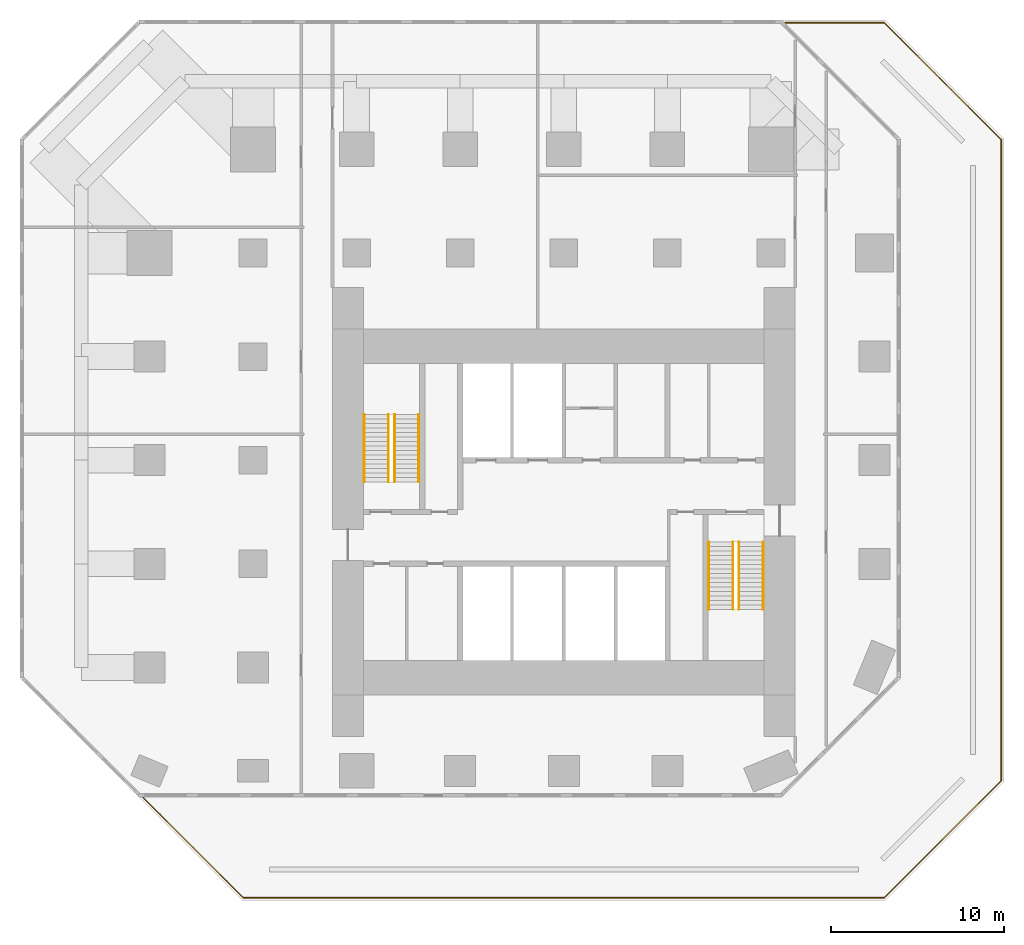
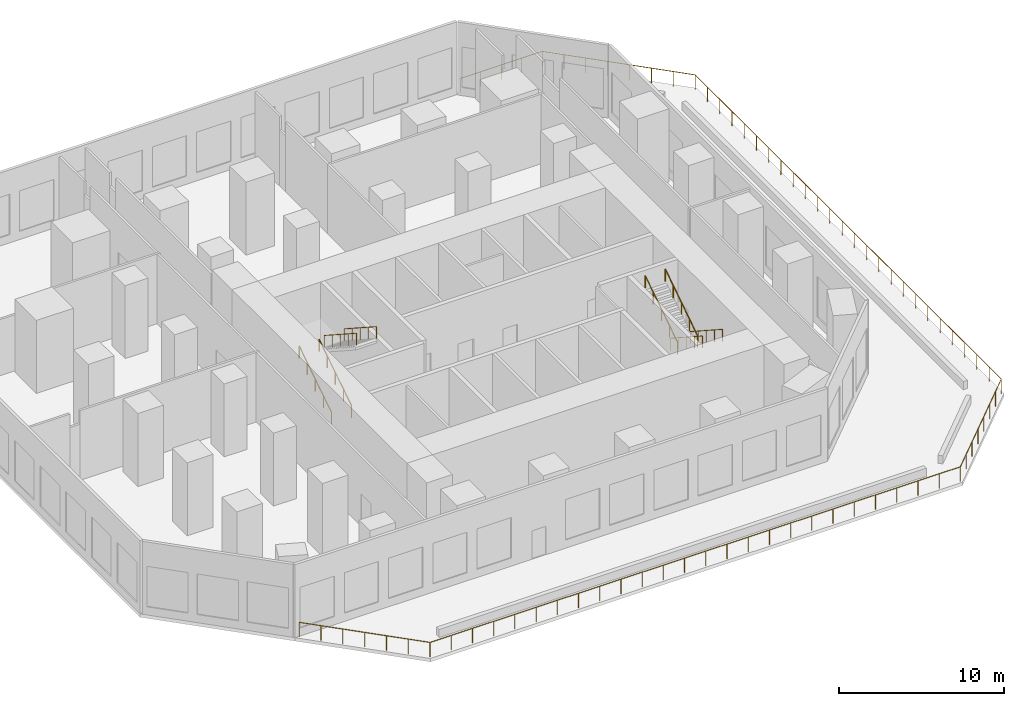
# One storey, part 7 of 7: 9 railings.
"""IFC4 building model written with IfcOpenShell, lengths in metres."""

from ifc_helpers import new_model, si_unit, direction, frame, origin, origin_2d, place, context, subcontext, project, spatial, circle, extrude, material, type_object, element, save


model = new_model("IFC4")

# Units and contexts
model_context = context("Model", 3, precision=1e-05, world=origin(), true_north=direction((0.0, 1.0)))
body_context = subcontext(model_context, "Body", "Model", "MODEL_VIEW")
ifc_project = project(units=[si_unit("LENGTHUNIT", "METRE"), si_unit("AREAUNIT", "SQUARE_METRE"), si_unit("VOLUMEUNIT", "CUBIC_METRE"), si_unit("PLANEANGLEUNIT", "RADIAN"), si_unit("MASSUNIT", "GRAM", prefix="KILO")], contexts=[model_context])

# Site, building, storey
site_placement = place(None, origin())
site = spatial("IfcSite", under=ifc_project, at=site_placement, CompositionType="ELEMENT")
building_placement = place(site_placement, origin())
building = spatial("IfcBuilding", under=site, at=building_placement, Name="Highveld Stack Headquarters", CompositionType="ELEMENT")
storey_placement = place(building_placement, frame((0.0, 0.0, 88.39990234375)))
storey = spatial("IfcBuildingStorey", under=building, at=storey_placement, Name="L21", CompositionType="ELEMENT", Elevation=88.39990234375)

# Railings
ifc_material_1 = material(Name="Stainless steel handrail", Category="steel")
railing_type_1 = type_object("IfcRailingType", Name="STAIR HANDRAIL HR1 900", PredefinedType="HANDRAIL", material=ifc_material_1)
for number, where, name in (
    (1, (-5.550048828125, 4.75, 0.1689453125), "Handrail S1 L21 flight 1"),
    (2, (-4.14990234375, 4.75, 0.1689453125), "Handrail S1 L21 flight 1"),
):
    element("IfcRailing", number, at=place(storey_placement, frame(where)), inside=storey, type_object=railing_type_1, Name=name, PredefinedType="HANDRAIL", context=body_context, shape_type="SweptSolid", body=[
        extrude(circle(Radius=0.02392578125, at=origin_2d()), frame((0.0, 0.0, 0.8759765625), z_axis=(0.0, 0.838805745541, 0.544430823198), x_axis=(-1.0, 0.0, 0.0)), (0.0, 0.0, 1.0), 4.6494140625),
        extrude(circle(Radius=0.02099609375, at=origin_2d()), origin(), (0.0, 0.0, 1.0), 0.851806640625),
        extrude(circle(Radius=0.02099609375, at=origin_2d()), frame((0.0, 0.97509765625, 0.6328125)), (0.0, 0.0, 1.0), 0.851806640625),
        extrude(circle(Radius=0.02099609375, at=origin_2d()), frame((0.0, 1.949951171875, 1.265625)), (0.0, 0.0, 1.0), 0.851806640625),
        extrude(circle(Radius=0.02099609375, at=origin_2d()), frame((0.0, 2.9248046875, 1.8984375)), (0.0, 0.0, 1.0), 0.851806640625),
        extrude(circle(Radius=0.02099609375, at=origin_2d()), frame((0.0, 3.89990234375, 2.53125)), (0.0, 0.0, 1.0), 0.851806640625),
    ])
for number, where, name in (
    (3, (-3.800048828125, 8.64990234375, 2.868896484375), "Handrail S1 L21 flight 2"),
    (4, (-2.39990234375, 8.64990234375, 2.868896484375), "Handrail S1 L21 flight 2"),
    (5, (16.14990234375, 1.25, 0.1689453125), "Handrail S2 L21 flight 1"),
    (6, (17.550048828125, 1.25, 0.1689453125), "Handrail S2 L21 flight 1"),
):
    element("IfcRailing", number, at=place(storey_placement, frame(where)), inside=storey, type_object=railing_type_1, Name=name, PredefinedType="HANDRAIL", context=body_context, shape_type="SweptSolid", body=[
        extrude(circle(Radius=0.02392578125, at=origin_2d()), frame((0.0, 0.0, 0.8759765625), z_axis=(0.0, -0.838805745541, 0.544430823198), x_axis=(1.0, 0.0, 0.0)), (0.0, 0.0, 1.0), 4.6494140625),
        extrude(circle(Radius=0.02099609375, at=origin_2d()), origin(), (0.0, 0.0, 1.0), 0.851806640625),
        extrude(circle(Radius=0.02099609375, at=origin_2d()), frame((0.0, -0.97509765625, 0.6328125)), (0.0, 0.0, 1.0), 0.851806640625),
        extrude(circle(Radius=0.02099609375, at=origin_2d()), frame((0.0, -1.949951171875, 1.265625)), (0.0, 0.0, 1.0), 0.851806640625),
        extrude(circle(Radius=0.02099609375, at=origin_2d()), frame((0.0, -2.9248046875, 1.8984375)), (0.0, 0.0, 1.0), 0.851806640625),
        extrude(circle(Radius=0.02099609375, at=origin_2d()), frame((0.0, -3.89990234375, 2.53125)), (0.0, 0.0, 1.0), 0.851806640625),
    ])
for number, where, name in (
    (7, (14.39990234375, -2.64990234375, 2.868896484375), "Handrail S2 L21 flight 2"),
    (8, (15.800048828125, -2.64990234375, 2.868896484375), "Handrail S2 L21 flight 2"),
):
    element("IfcRailing", number, at=place(storey_placement, frame(where)), inside=storey, type_object=railing_type_1, Name=name, PredefinedType="HANDRAIL", context=body_context, shape_type="SweptSolid", body=[
        extrude(circle(Radius=0.02392578125, at=origin_2d()), frame((0.0, 0.0, 0.8759765625), z_axis=(0.0, 0.838805745541, 0.544430823198), x_axis=(-1.0, 0.0, 0.0)), (0.0, 0.0, 1.0), 4.6494140625),
        extrude(circle(Radius=0.02099609375, at=origin_2d()), origin(), (0.0, 0.0, 1.0), 0.851806640625),
        extrude(circle(Radius=0.02099609375, at=origin_2d()), frame((0.0, 0.97509765625, 0.6328125)), (0.0, 0.0, 1.0), 0.851806640625),
        extrude(circle(Radius=0.02099609375, at=origin_2d()), frame((0.0, 1.949951171875, 1.265625)), (0.0, 0.0, 1.0), 0.851806640625),
        extrude(circle(Radius=0.02099609375, at=origin_2d()), frame((0.0, 2.9248046875, 1.8984375)), (0.0, 0.0, 1.0), 0.851806640625),
        extrude(circle(Radius=0.02099609375, at=origin_2d()), frame((0.0, 3.89990234375, 2.53125)), (0.0, 0.0, 1.0), 0.851806640625),
    ])
ifc_material_2 = material(Name="Laminated glass balustrade with bronze handrail", Category="glass")
railing_type_2 = type_object("IfcRailingType", Name="TERRACE GUARD GR1 1100 GLASS", PredefinedType="GUARDRAIL", material=ifc_material_2)
railing_placement = place(storey_placement, frame((18.83349609375, 31.35009765625, 0.0)))
element("IfcRailing", 9, at=railing_placement, inside=storey, type_object=railing_type_2, Name="Terrace guard L21 1", PredefinedType="GUARDRAIL", context=body_context, shape_type="SweptSolid", body=[
    extrude(circle(Radius=0.02392578125, at=origin_2d()), frame((0.0, 0.0, 1.076171875), z_axis=(1.0, 0.0, 0.0), x_axis=(0.0, 1.0, 0.0)), (0.0, 0.0, 1.0), 5.7255859375),
    extrude(circle(Radius=0.02392578125, at=origin_2d()), frame((5.7255859375, 0.0, 1.076171875), z_axis=(0.707106781187, -0.707106781187, 0.0), x_axis=(0.707106781187, 0.707106781187, 0.0)), (0.0, 0.0, 1.0), 9.60400390625),
    extrude(circle(Radius=0.02392578125, at=origin_2d()), frame((12.5166015625, -6.791015625, 1.076171875), z_axis=(0.0, -1.0, 0.0), x_axis=(1.0, 0.0, 0.0)), (0.0, 0.0, 1.0), 37.1181640625),
    extrude(circle(Radius=0.02392578125, at=origin_2d()), frame((12.5166015625, -43.9091796875, 1.076171875), z_axis=(-0.707106781187, -0.707106781187, 0.0), x_axis=(0.707106781187, -0.707106781187, 0.0)), (0.0, 0.0, 1.0), 9.60400390625),
    extrude(circle(Radius=0.02392578125, at=origin_2d()), frame((5.7255859375, -50.7001953125, 1.076171875), z_axis=(-1.0, 0.0, 0.0), x_axis=(0.0, -1.0, 0.0)), (0.0, 0.0, 1.0), 37.1181640625),
    extrude(circle(Radius=0.02392578125, at=origin_2d()), frame((-31.392578125, -50.7001953125, 1.076171875), z_axis=(-0.707106781187, 0.707106781187, 0.0), x_axis=(-0.707106781187, -0.707106781187, 0.0)), (0.0, 0.0, 1.0), 8.211181640625),
    extrude(circle(Radius=0.02099609375, at=origin_2d()), origin(), (0.0, 0.0, 1.0), 1.052001953125),
    extrude(circle(Radius=0.02099609375, at=origin_2d()), frame((1.431396484375, 0.0, 0.0)), (0.0, 0.0, 1.0), 1.052001953125),
    extrude(circle(Radius=0.02099609375, at=origin_2d()), frame((2.86279296875, 0.0, 0.0)), (0.0, 0.0, 1.0), 1.052001953125),
    extrude(circle(Radius=0.02099609375, at=origin_2d()), frame((4.294189453125, 0.0, 0.0)), (0.0, 0.0, 1.0), 1.052001953125),
    extrude(circle(Radius=0.02099609375, at=origin_2d()), frame((5.7255859375, 0.0, 0.0)), (0.0, 0.0, 1.0), 1.052001953125),
    extrude(circle(Radius=0.02099609375, at=origin_2d()), frame((6.69580078125, -0.97021484375, 0.0)), (0.0, 0.0, 1.0), 1.052001953125),
    extrude(circle(Radius=0.02099609375, at=origin_2d()), frame((7.665771484375, -1.940185546875, 0.0)), (0.0, 0.0, 1.0), 1.052001953125),
    extrude(circle(Radius=0.02099609375, at=origin_2d()), frame((8.635986328125, -2.910400390625, 0.0)), (0.0, 0.0, 1.0), 1.052001953125),
    extrude(circle(Radius=0.02099609375, at=origin_2d()), frame((9.606201171875, -3.880615234375, 0.0)), (0.0, 0.0, 1.0), 1.052001953125),
    extrude(circle(Radius=0.02099609375, at=origin_2d()), frame((10.576416015625, -4.850830078125, 0.0)), (0.0, 0.0, 1.0), 1.052001953125),
    extrude(circle(Radius=0.02099609375, at=origin_2d()), frame((11.54638671875, -5.82080078125, 0.0)), (0.0, 0.0, 1.0), 1.052001953125),
    extrude(circle(Radius=0.02099609375, at=origin_2d()), frame((12.5166015625, -6.791015625, 0.0)), (0.0, 0.0, 1.0), 1.052001953125),
    extrude(circle(Radius=0.02099609375, at=origin_2d()), frame((12.5166015625, -8.275634765625, 0.0)), (0.0, 0.0, 1.0), 1.052001953125),
    extrude(circle(Radius=0.02099609375, at=origin_2d()), frame((12.5166015625, -9.760498046875, 0.0)), (0.0, 0.0, 1.0), 1.052001953125),
    extrude(circle(Radius=0.02099609375, at=origin_2d()), frame((12.5166015625, -11.2451171875, 0.0)), (0.0, 0.0, 1.0), 1.052001953125),
    extrude(circle(Radius=0.02099609375, at=origin_2d()), frame((12.5166015625, -12.72998046875, 0.0)), (0.0, 0.0, 1.0), 1.052001953125),
    extrude(circle(Radius=0.02099609375, at=origin_2d()), frame((12.5166015625, -14.214599609375, 0.0)), (0.0, 0.0, 1.0), 1.052001953125),
    extrude(circle(Radius=0.02099609375, at=origin_2d()), frame((12.5166015625, -15.699462890625, 0.0)), (0.0, 0.0, 1.0), 1.052001953125),
    extrude(circle(Radius=0.02099609375, at=origin_2d()), frame((12.5166015625, -17.18408203125, 0.0)), (0.0, 0.0, 1.0), 1.052001953125),
    extrude(circle(Radius=0.02099609375, at=origin_2d()), frame((12.5166015625, -18.6689453125, 0.0)), (0.0, 0.0, 1.0), 1.052001953125),
    extrude(circle(Radius=0.02099609375, at=origin_2d()), frame((12.5166015625, -20.153564453125, 0.0)), (0.0, 0.0, 1.0), 1.052001953125),
    extrude(circle(Radius=0.02099609375, at=origin_2d()), frame((12.5166015625, -21.63818359375, 0.0)), (0.0, 0.0, 1.0), 1.052001953125),
    extrude(circle(Radius=0.02099609375, at=origin_2d()), frame((12.5166015625, -23.123046875, 0.0)), (0.0, 0.0, 1.0), 1.052001953125),
    extrude(circle(Radius=0.02099609375, at=origin_2d()), frame((12.5166015625, -24.607666015625, 0.0)), (0.0, 0.0, 1.0), 1.052001953125),
    extrude(circle(Radius=0.02099609375, at=origin_2d()), frame((12.5166015625, -26.092529296875, 0.0)), (0.0, 0.0, 1.0), 1.052001953125),
    extrude(circle(Radius=0.02099609375, at=origin_2d()), frame((12.5166015625, -27.5771484375, 0.0)), (0.0, 0.0, 1.0), 1.052001953125),
    extrude(circle(Radius=0.02099609375, at=origin_2d()), frame((12.5166015625, -29.06201171875, 0.0)), (0.0, 0.0, 1.0), 1.052001953125),
    extrude(circle(Radius=0.02099609375, at=origin_2d()), frame((12.5166015625, -30.546630859375, 0.0)), (0.0, 0.0, 1.0), 1.052001953125),
    extrude(circle(Radius=0.02099609375, at=origin_2d()), frame((12.5166015625, -32.03125, 0.0)), (0.0, 0.0, 1.0), 1.052001953125),
    extrude(circle(Radius=0.02099609375, at=origin_2d()), frame((12.5166015625, -33.51611328125, 0.0)), (0.0, 0.0, 1.0), 1.052001953125),
    extrude(circle(Radius=0.02099609375, at=origin_2d()), frame((12.5166015625, -35.000732421875, 0.0)), (0.0, 0.0, 1.0), 1.052001953125),
    extrude(circle(Radius=0.02099609375, at=origin_2d()), frame((12.5166015625, -36.485595703125, 0.0)), (0.0, 0.0, 1.0), 1.052001953125),
    extrude(circle(Radius=0.02099609375, at=origin_2d()), frame((12.5166015625, -37.97021484375, 0.0)), (0.0, 0.0, 1.0), 1.052001953125),
    extrude(circle(Radius=0.02099609375, at=origin_2d()), frame((12.5166015625, -39.455078125, 0.0)), (0.0, 0.0, 1.0), 1.052001953125),
    extrude(circle(Radius=0.02099609375, at=origin_2d()), frame((12.5166015625, -40.939697265625, 0.0)), (0.0, 0.0, 1.0), 1.052001953125),
    extrude(circle(Radius=0.02099609375, at=origin_2d()), frame((12.5166015625, -42.424560546875, 0.0)), (0.0, 0.0, 1.0), 1.052001953125),
    extrude(circle(Radius=0.02099609375, at=origin_2d()), frame((12.5166015625, -43.9091796875, 0.0)), (0.0, 0.0, 1.0), 1.052001953125),
    extrude(circle(Radius=0.02099609375, at=origin_2d()), frame((11.54638671875, -44.87939453125, 0.0)), (0.0, 0.0, 1.0), 1.052001953125),
    extrude(circle(Radius=0.02099609375, at=origin_2d()), frame((10.576416015625, -45.849365234375, 0.0)), (0.0, 0.0, 1.0), 1.052001953125),
    extrude(circle(Radius=0.02099609375, at=origin_2d()), frame((9.606201171875, -46.819580078125, 0.0)), (0.0, 0.0, 1.0), 1.052001953125),
    extrude(circle(Radius=0.02099609375, at=origin_2d()), frame((8.635986328125, -47.789794921875, 0.0)), (0.0, 0.0, 1.0), 1.052001953125),
    extrude(circle(Radius=0.02099609375, at=origin_2d()), frame((7.665771484375, -48.760009765625, 0.0)), (0.0, 0.0, 1.0), 1.052001953125),
    extrude(circle(Radius=0.02099609375, at=origin_2d()), frame((6.69580078125, -49.72998046875, 0.0)), (0.0, 0.0, 1.0), 1.052001953125),
    extrude(circle(Radius=0.02099609375, at=origin_2d()), frame((5.7255859375, -50.7001953125, 0.0)), (0.0, 0.0, 1.0), 1.052001953125),
    extrude(circle(Radius=0.02099609375, at=origin_2d()), frame((4.240966796875, -50.7001953125, 0.0)), (0.0, 0.0, 1.0), 1.052001953125),
    extrude(circle(Radius=0.02099609375, at=origin_2d()), frame((2.756103515625, -50.7001953125, 0.0)), (0.0, 0.0, 1.0), 1.052001953125),
    extrude(circle(Radius=0.02099609375, at=origin_2d()), frame((1.271484375, -50.7001953125, 0.0)), (0.0, 0.0, 1.0), 1.052001953125),
    extrude(circle(Radius=0.02099609375, at=origin_2d()), frame((-0.21337890625, -50.7001953125, 0.0)), (0.0, 0.0, 1.0), 1.052001953125),
    extrude(circle(Radius=0.02099609375, at=origin_2d()), frame((-1.697998046875, -50.7001953125, 0.0)), (0.0, 0.0, 1.0), 1.052001953125),
    extrude(circle(Radius=0.02099609375, at=origin_2d()), frame((-3.182861328125, -50.7001953125, 0.0)), (0.0, 0.0, 1.0), 1.052001953125),
    extrude(circle(Radius=0.02099609375, at=origin_2d()), frame((-4.66748046875, -50.7001953125, 0.0)), (0.0, 0.0, 1.0), 1.052001953125),
    extrude(circle(Radius=0.02099609375, at=origin_2d()), frame((-6.15234375, -50.7001953125, 0.0)), (0.0, 0.0, 1.0), 1.052001953125),
    extrude(circle(Radius=0.02099609375, at=origin_2d()), frame((-7.636962890625, -50.7001953125, 0.0)), (0.0, 0.0, 1.0), 1.052001953125),
    extrude(circle(Radius=0.02099609375, at=origin_2d()), frame((-9.12158203125, -50.7001953125, 0.0)), (0.0, 0.0, 1.0), 1.052001953125),
    extrude(circle(Radius=0.02099609375, at=origin_2d()), frame((-10.6064453125, -50.7001953125, 0.0)), (0.0, 0.0, 1.0), 1.052001953125),
    extrude(circle(Radius=0.02099609375, at=origin_2d()), frame((-12.091064453125, -50.7001953125, 0.0)), (0.0, 0.0, 1.0), 1.052001953125),
    extrude(circle(Radius=0.02099609375, at=origin_2d()), frame((-13.575927734375, -50.7001953125, 0.0)), (0.0, 0.0, 1.0), 1.052001953125),
    extrude(circle(Radius=0.02099609375, at=origin_2d()), frame((-15.060546875, -50.7001953125, 0.0)), (0.0, 0.0, 1.0), 1.052001953125),
    extrude(circle(Radius=0.02099609375, at=origin_2d()), frame((-16.54541015625, -50.7001953125, 0.0)), (0.0, 0.0, 1.0), 1.052001953125),
    extrude(circle(Radius=0.02099609375, at=origin_2d()), frame((-18.030029296875, -50.7001953125, 0.0)), (0.0, 0.0, 1.0), 1.052001953125),
    extrude(circle(Radius=0.02099609375, at=origin_2d()), frame((-19.5146484375, -50.7001953125, 0.0)), (0.0, 0.0, 1.0), 1.052001953125),
    extrude(circle(Radius=0.02099609375, at=origin_2d()), frame((-20.99951171875, -50.7001953125, 0.0)), (0.0, 0.0, 1.0), 1.052001953125),
    extrude(circle(Radius=0.02099609375, at=origin_2d()), frame((-22.484130859375, -50.7001953125, 0.0)), (0.0, 0.0, 1.0), 1.052001953125),
    extrude(circle(Radius=0.02099609375, at=origin_2d()), frame((-23.968994140625, -50.7001953125, 0.0)), (0.0, 0.0, 1.0), 1.052001953125),
    extrude(circle(Radius=0.02099609375, at=origin_2d()), frame((-25.45361328125, -50.7001953125, 0.0)), (0.0, 0.0, 1.0), 1.052001953125),
    extrude(circle(Radius=0.02099609375, at=origin_2d()), frame((-26.9384765625, -50.7001953125, 0.0)), (0.0, 0.0, 1.0), 1.052001953125),
    extrude(circle(Radius=0.02099609375, at=origin_2d()), frame((-28.423095703125, -50.7001953125, 0.0)), (0.0, 0.0, 1.0), 1.052001953125),
    extrude(circle(Radius=0.02099609375, at=origin_2d()), frame((-29.907958984375, -50.7001953125, 0.0)), (0.0, 0.0, 1.0), 1.052001953125),
    extrude(circle(Radius=0.02099609375, at=origin_2d()), frame((-31.392578125, -50.7001953125, 0.0)), (0.0, 0.0, 1.0), 1.052001953125),
    extrude(circle(Radius=0.02099609375, at=origin_2d()), frame((-32.3603515625, -49.732421875, 0.0)), (0.0, 0.0, 1.0), 1.052001953125),
    extrude(circle(Radius=0.02099609375, at=origin_2d()), frame((-33.327880859375, -48.764892578125, 0.0)), (0.0, 0.0, 1.0), 1.052001953125),
    extrude(circle(Radius=0.02099609375, at=origin_2d()), frame((-34.295654296875, -47.797119140625, 0.0)), (0.0, 0.0, 1.0), 1.052001953125),
    extrude(circle(Radius=0.02099609375, at=origin_2d()), frame((-35.263427734375, -46.829345703125, 0.0)), (0.0, 0.0, 1.0), 1.052001953125),
    extrude(circle(Radius=0.02099609375, at=origin_2d()), frame((-36.23095703125, -45.86181640625, 0.0)), (0.0, 0.0, 1.0), 1.052001953125),
    extrude(circle(Radius=0.02099609375, at=origin_2d()), frame((-37.19873046875, -44.89404296875, 0.0)), (0.0, 0.0, 1.0), 1.052001953125),
])

save(model, "model.ifc")
